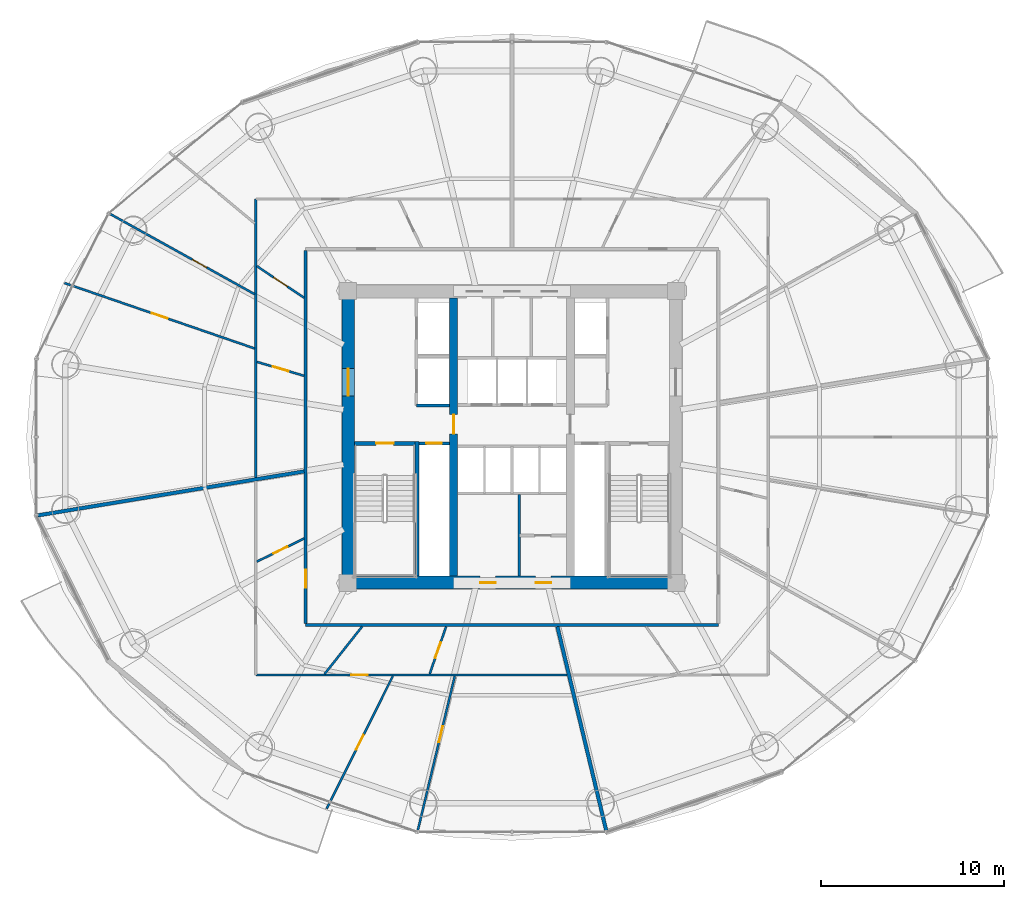
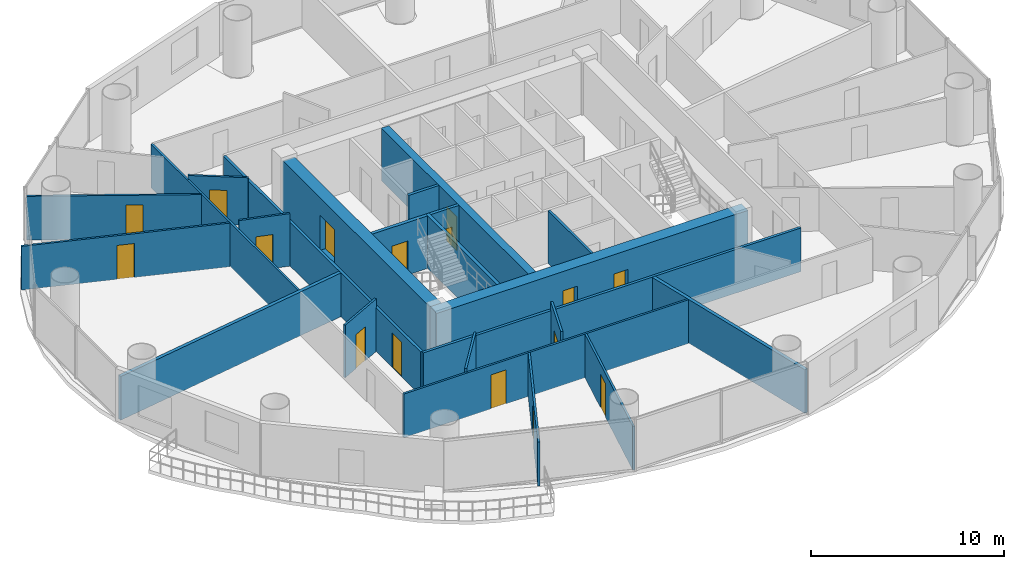
# One storey, part 22 of 29: 23 walls, 16 doors, 16 openings.
"""IFC4 building model written with IfcOpenShell, lengths in metres."""

from ifc_helpers import new_model, si_unit, direction, frame, frame_2d, origin, place, context, subcontext, project, spatial, rectangle, extrude, source, transform, mapped, material, layer, layer_set, type_object, element, fill, save


model = new_model("IFC4")

# Units and contexts
model_context = context("Model", 3, precision=1e-05, world=origin(), true_north=direction((-0.2419218956, 0.970295726276)))
body_context = subcontext(model_context, "Body", "Model", "MODEL_VIEW")
ifc_project = project(units=[si_unit("LENGTHUNIT", "METRE"), si_unit("AREAUNIT", "SQUARE_METRE"), si_unit("VOLUMEUNIT", "CUBIC_METRE"), si_unit("PLANEANGLEUNIT", "RADIAN"), si_unit("MASSUNIT", "GRAM", prefix="KILO")], contexts=[model_context])

# Site, building, storey
site_placement = place(None, origin())
site = spatial("IfcSite", under=ifc_project, at=site_placement, CompositionType="ELEMENT")
building_placement = place(site_placement, origin())
building = spatial("IfcBuilding", under=site, at=building_placement, Name="Cobrevalo Terracotta Tower", CompositionType="ELEMENT")
storey_placement = place(building_placement, frame((0.0, 0.0, 87.0)))
storey = spatial("IfcBuildingStorey", under=building, at=storey_placement, Name="L22", CompositionType="ELEMENT", Elevation=87.0)

# Wall, openings, doors
ifc_material_1 = material(Name="Concrete C60", Category="concrete")
ifc_layer_1 = layer(ifc_material_1, 0.699951171875)
ifc_layer_set_1 = layer_set([ifc_layer_1], Name="Concrete C60")
wall_type_1 = type_object("IfcWallType", Name="Core shear wall 700 mm Concrete C60", PredefinedType="SHEAR", material=ifc_layer_set_1)
wall_1_placement = place(storey_placement, frame((28.675048828125, 18.824951171875, 0.0), z_axis=(0.0, 0.0, 1.0), x_axis=(1.0, 0.0, 0.0)))
wall_1 = element("IfcWall", 1, at=wall_1_placement, inside=storey, type_object=wall_type_1, Name="L22 south core shear wall", PredefinedType="SHEAR", context=body_context, shape_type="SweptSolid", body=[
    extrude(rectangle(XDim=18.64990234375, YDim=0.699951171875, at=frame_2d((9.324951171875, 0.0))), origin(), (0.0, 0.0, 1.0), 3.324951171875),
])
opening_1_placement = place(wall_1_placement, frame((7.577392578125, 0.0, 0.0)))
opening_1 = element("IfcOpeningElement", 2, at=opening_1_placement, cuts=wall_1, Name="Opening ID-22", PredefinedType="OPENING", context=body_context, shape_type="SweptSolid", body=[
    extrude(rectangle(XDim=0.85009765625, YDim=2.10009765625, at=frame_2d((0.425048828125, 1.050048828125))), frame((0.0, 0.35986328125, 0.0), z_axis=(0.0, -1.0, 0.0), x_axis=(1.0, 0.0, 0.0)), (0.0, 0.0, 1.0), 0.719970703125),
])
opening_2_placement = place(wall_1_placement, frame((10.62255859375, 0.0, 0.0)))
opening_2 = element("IfcOpeningElement", 3, at=opening_2_placement, cuts=wall_1, Name="Opening ID-22", PredefinedType="OPENING", context=body_context, shape_type="SweptSolid", body=[
    extrude(rectangle(XDim=0.85009765625, YDim=2.10009765625, at=frame_2d((0.425048828125, 1.050048828125))), frame((0.0, 0.35986328125, 0.0), z_axis=(0.0, -1.0, 0.0), x_axis=(1.0, 0.0, 0.0)), (0.0, 0.0, 1.0), 0.719970703125),
])
ifc_material_2 = material(Name="Powder-coated steel", Category="steel")
door_type_1 = type_object("IfcDoorType", Name="Riser shaft & meter closet fire access door 850x2100 EI 60", OperationType="NOTDEFINED", PredefinedType="DOOR", material=ifc_material_2)
shared_shape_1 = source(origin(), body_context, "Body", "SweptSolid", [
    extrude(rectangle(XDim=0.85009765625, YDim=2.10009765625, at=frame_2d((0.425048828125, 1.050048828125))), frame((0.0, 0.02490234375, 0.0), z_axis=(0.0, -1.0, 0.0), x_axis=(1.0, 0.0, 0.0)), (0.0, 0.0, 1.0), 0.050048828125),
])
door_1_placement = place(opening_1_placement, origin())
door_1 = element("IfcDoor", 4, at=door_1_placement, inside=storey, type_object=door_type_1, Name="L22 core south plant door Floor AHU Mechanical Plant", OperationType="SINGLE_SWING_RIGHT", OverallHeight=2.10009765625, OverallWidth=0.85009765625, PredefinedType="DOOR", context=body_context, shape_type="MappedRepresentation", body=[
    mapped(shared_shape_1, transform((0.0, 0.0, 0.0), scale=1.0)),
])
fill(opening_1, door_1)
door_2_placement = place(opening_2_placement, origin())
door_2 = element("IfcDoor", 5, at=door_2_placement, inside=storey, type_object=door_type_1, Name="L22 core south plant door Sprinkler Valve Plant", OperationType="SINGLE_SWING_RIGHT", OverallHeight=2.10009765625, OverallWidth=0.85009765625, PredefinedType="DOOR", context=body_context, shape_type="MappedRepresentation", body=[
    mapped(shared_shape_1, transform((0.0, 0.0, 0.0), scale=1.0)),
])
fill(opening_2, door_2)

# Wall, opening, door
wall_2_placement = place(storey_placement, frame((29.02490234375, 19.175048828125, 0.0), z_axis=(0.0, 0.0, 1.0), x_axis=(0.0, 1.0, 0.0)))
wall_2 = element("IfcWall", 6, at=wall_2_placement, inside=storey, type_object=wall_type_1, Name="L22 west core shear wall", PredefinedType="SHEAR", context=body_context, shape_type="SweptSolid", body=[
    extrude(rectangle(XDim=15.25, YDim=0.699951171875, at=frame_2d((7.625, 0.0))), origin(), (0.0, 0.0, 1.0), 3.324951171875),
])
opening_3_placement = place(wall_2_placement, frame((9.875, 0.0, 0.0)))
opening_3 = element("IfcOpeningElement", 7, at=opening_3_placement, cuts=wall_2, Name="Opening ID-14", PredefinedType="OPENING", context=body_context, shape_type="SweptSolid", body=[
    extrude(rectangle(XDim=1.5, YDim=2.199951171875, at=frame_2d((0.75, 1.10009765625))), frame((0.0, 0.35986328125, 0.0), z_axis=(0.0, -1.0, 0.0), x_axis=(1.0, 0.0, 0.0)), (0.0, 0.0, 1.0), 0.719970703125),
])
ifc_material_3 = material(Name="Galvanized fire-rated steel", Category="steel")
door_type_2 = type_object("IfcDoorType", Name="Core cross-lobby double fire door 1500x2200 EI 90", OperationType="NOTDEFINED", PredefinedType="DOOR", material=ifc_material_3)
shared_shape_2 = source(origin(), body_context, "Body", "SweptSolid", [
    extrude(rectangle(XDim=1.5, YDim=2.199951171875, at=frame_2d((0.75, 1.10009765625))), frame((0.0, 0.02490234375, 0.0), z_axis=(0.0, -1.0, 0.0), x_axis=(1.0, 0.0, 0.0)), (0.0, 0.0, 1.0), 0.050048828125),
])
door_3_placement = place(opening_3_placement, origin())
door_3 = element("IfcDoor", 8, at=door_3_placement, inside=storey, type_object=door_type_2, Name="L22 west firefighting lobby entrance door", OperationType="DOUBLE_DOOR_SINGLE_SWING", OverallHeight=2.199951171875, OverallWidth=1.5, PredefinedType="DOOR", context=body_context, shape_type="MappedRepresentation", body=[
    mapped(shared_shape_2, transform((0.0, 0.0, 0.0), scale=1.0)),
])
fill(opening_3, door_3)

# Walls
ifc_material_4 = material(Name="Gypsum board on steel stud", Category="steel")
ifc_layer_2 = layer(ifc_material_4, 0.159912109375)
ifc_layer_set_2 = layer_set([ifc_layer_2], Name="Gypsum board on steel stud")
wall_type_2 = type_object("IfcWallType", Name="Fire-rated corridor acoustic partition wall 160 mm", PredefinedType="PARTITIONING", material=ifc_layer_set_2)
wall_3_placement = place(storey_placement, frame((32.77001953125, 28.52001953125, 0.0), z_axis=(0.0, 0.0, 1.0), x_axis=(1.0, 0.0, 0.0)))
element("IfcWall", 9, at=wall_3_placement, inside=storey, type_object=wall_type_2, Name="L22 interior partition IW-L22-FF1-S", PredefinedType="PARTITIONING", context=body_context, shape_type="SweptSolid", body=[
    extrude(rectangle(XDim=1.804931640625, YDim=0.159912109375, at=frame_2d((0.90234375, 0.0))), origin(), (0.0, 0.0, 1.0), 3.324951171875),
])
wall_4_placement = place(storey_placement, frame((26.695068359375, 16.4951171875, 0.0), z_axis=(0.0, 0.0, 1.0), x_axis=(1.0, 0.0, 0.0)))
element("IfcWall", 10, at=wall_4_placement, inside=storey, type_object=wall_type_2, Name="L22 interior partition IW-L22-COR-S", PredefinedType="PARTITIONING", context=body_context, shape_type="SweptSolid", body=[
    extrude(rectangle(XDim=22.60986328125, YDim=0.159912109375, at=frame_2d((11.304931640625, 0.0))), origin(), (0.0, 0.0, 1.0), 2.76708984375),
])

# Wall, opening, door
wall_5_placement = place(storey_placement, frame((26.695068359375, 16.574951171875, 0.0), z_axis=(0.0, 0.0, 1.0), x_axis=(0.0, 1.0, 0.0)))
wall_5 = element("IfcWall", 11, at=wall_5_placement, inside=storey, type_object=wall_type_2, Name="L22 interior partition IW-L22-COR-W", PredefinedType="PARTITIONING", context=body_context, shape_type="SweptSolid", body=[
    extrude(rectangle(XDim=20.449951171875, YDim=0.159912109375, at=frame_2d((10.22509765625, 0.0))), origin(), (0.0, 0.0, 1.0), 2.76708984375),
])
opening_4_placement = place(wall_5_placement, frame((1.977294921875, 0.0, 0.0)))
opening_4 = element("IfcOpeningElement", 12, at=opening_4_placement, cuts=wall_5, Name="Opening ID-05", PredefinedType="OPENING", context=body_context, shape_type="SweptSolid", body=[
    extrude(rectangle(XDim=0.97998046875, YDim=2.199951171875, at=frame_2d((0.489990234375, 1.10009765625))), frame((0.0, 0.08984375, 0.0), z_axis=(0.0, -1.0, 0.0), x_axis=(1.0, 0.0, 0.0)), (0.0, 0.0, 1.0), 0.179931640625),
])
ifc_material_5 = material(Name="Solid hardwood timber", Category="wood")
door_type_3 = type_object("IfcDoorType", Name="Residence entrance fire-rated acoustic timber door 980x2200 EI 60", OperationType="NOTDEFINED", PredefinedType="DOOR", material=ifc_material_5)
shared_shape_3 = source(origin(), body_context, "Body", "SweptSolid", [
    extrude(rectangle(XDim=0.97998046875, YDim=2.199951171875, at=frame_2d((0.489990234375, 1.10009765625))), frame((0.0, 0.02490234375, 0.0), z_axis=(0.0, -1.0, 0.0), x_axis=(1.0, 0.0, 0.0)), (0.0, 0.0, 1.0), 0.050048828125),
])
door_4_placement = place(opening_4_placement, origin())
door_4 = element("IfcDoor", 13, at=door_4_placement, inside=storey, type_object=door_type_3, Name="Flat L22C fire-rated apartment entrance door", OperationType="SINGLE_SWING_LEFT", OverallHeight=2.199951171875, OverallWidth=0.97998046875, PredefinedType="DOOR", context=body_context, shape_type="MappedRepresentation", body=[
    mapped(shared_shape_3, transform((0.0, 0.0, 0.0), scale=1.0)),
])
fill(opening_4, door_4)

ifc_layer_3 = layer(ifc_material_4, 0.179931640625)
ifc_layer_set_3 = layer_set([ifc_layer_3], Name="Gypsum board on steel stud")
wall_type_3 = type_object("IfcWallType", Name="Fire-rated shaft & lobby acoustic partition wall 180 mm", PredefinedType="PARTITIONING", material=ifc_layer_set_3)
wall_6_placement = place(storey_placement, frame((32.89990234375, 26.449951171875, 0.0), z_axis=(0.0, 0.0, 1.0), x_axis=(1.0, 0.0, 0.0)))
wall_6 = element("IfcWall", 14, at=wall_6_placement, inside=storey, type_object=wall_type_3, Name="L22 interior partition IW-L22-RSW-N", PredefinedType="PARTITIONING", context=body_context, shape_type="SweptSolid", body=[
    extrude(rectangle(XDim=1.675048828125, YDim=0.179931640625, at=frame_2d((0.83740234375, 0.0))), origin(), (0.0, 0.0, 1.0), 3.324951171875),
])
opening_5_placement = place(wall_6_placement, frame((0.41259765625, 0.0, 0.0)))
opening_5 = element("IfcOpeningElement", 15, at=opening_5_placement, cuts=wall_6, Name="Opening ID-22", PredefinedType="OPENING", context=body_context, shape_type="SweptSolid", body=[
    extrude(rectangle(XDim=0.85009765625, YDim=2.10009765625, at=frame_2d((0.425048828125, 1.050048828125))), frame((0.0, 0.10009765625, 0.0), z_axis=(0.0, -1.0, 0.0), x_axis=(1.0, 0.0, 0.0)), (0.0, 0.0, 1.0), 0.199951171875),
])
door_5_placement = place(opening_5_placement, origin())
door_5 = element("IfcDoor", 16, at=door_5_placement, inside=storey, type_object=door_type_1, Name="L22 riser access door RSW", OperationType="SINGLE_SWING_LEFT", OverallHeight=2.10009765625, OverallWidth=0.85009765625, PredefinedType="DOOR", context=body_context, shape_type="MappedRepresentation", body=[
    mapped(shared_shape_1, transform((0.0, 0.0, 0.0), scale=1.0)),
])
fill(opening_5, door_5)

# Walls
ifc_material_6 = material(Name="Autoclaved aerated concrete block", Category="concrete")
ifc_layer_4 = layer(ifc_material_6, 0.199951171875)
ifc_layer_set_4 = layer_set([ifc_layer_4], Name="Autoclaved aerated concrete block")
wall_type_4 = type_object("IfcWallType", Name="Fire-rated stair, shaft & demising masonry wall 200 mm", PredefinedType="PARTITIONING", material=ifc_layer_set_4)
wall_7_placement = place(storey_placement, frame((26.614990234375, 24.91845703125, 0.0), z_axis=(0.0, 0.0, 1.0), x_axis=(-0.986618789677, -0.163044054958, 0.0)))
element("IfcWall", 17, at=wall_7_placement, inside=storey, type_object=wall_type_4, Name="L22 interior partition IW-L22-DEM-3", PredefinedType="PARTITIONING", context=body_context, shape_type="SweptSolid", body=[
    extrude(rectangle(XDim=14.78662109375, YDim=0.199951171875, at=frame_2d((7.393310546875, 0.0))), origin(), (0.0, 0.0, 1.0), 2.76708984375),
])
wall_8_placement = place(storey_placement, frame((40.486328125, 16.4150390625, 0.0), z_axis=(0.0, 0.0, 1.0), x_axis=(0.232829417917, -0.972517589636, 0.0)))
element("IfcWall", 18, at=wall_8_placement, inside=storey, type_object=wall_type_4, Name="L22 interior partition IW-L22-DEM-4", PredefinedType="PARTITIONING", context=body_context, shape_type="SweptSolid", body=[
    extrude(rectangle(XDim=11.501953125, YDim=0.199951171875, at=frame_2d((5.7509765625, 0.0))), origin(), (0.0, 0.0, 1.0), 2.76708984375),
])

# Wall, opening, door
ifc_material_7 = material(Name="Concrete C55", Category="concrete")
ifc_layer_5 = layer(ifc_material_7, 0.449951171875)
ifc_layer_set_5 = layer_set([ifc_layer_5], Name="Concrete C55")
wall_type_5 = type_object("IfcWallType", Name="Internal core shear web wall 450 mm Concrete C55", PredefinedType="SHEAR", material=ifc_layer_set_5)
wall_9_placement = place(storey_placement, frame((34.800048828125, 19.175048828125, 0.0), z_axis=(0.0, 0.0, 1.0), x_axis=(0.0, 1.0, 0.0)))
wall_9 = element("IfcWall", 19, at=wall_9_placement, inside=storey, type_object=wall_type_5, Name="L22 internal core shear wall WEB-W", PredefinedType="SHEAR", context=body_context, shape_type="SweptSolid", body=[
    extrude(rectangle(XDim=15.25, YDim=0.449951171875, at=frame_2d((7.625, 0.0))), origin(), (0.0, 0.0, 1.0), 3.324951171875),
])
opening_6_placement = place(wall_9_placement, frame((7.800048828125, 0.0, 0.0)))
opening_6 = element("IfcOpeningElement", 20, at=opening_6_placement, cuts=wall_9, Name="Opening ID-11", PredefinedType="OPENING", context=body_context, shape_type="SweptSolid", body=[
    extrude(rectangle(XDim=1.050048828125, YDim=2.14990234375, at=frame_2d((0.52490234375, 1.074951171875))), frame((0.0, 0.23486328125, 0.0), z_axis=(0.0, -1.0, 0.0), x_axis=(1.0, 0.0, 0.0)), (0.0, 0.0, 1.0), 0.469970703125),
])
door_type_4 = type_object("IfcDoorType", Name="Core concourse cross fire door 1050x2150 EI 90", OperationType="NOTDEFINED", PredefinedType="DOOR", material=ifc_material_3)
shared_shape_4 = source(origin(), body_context, "Body", "SweptSolid", [
    extrude(rectangle(XDim=1.050048828125, YDim=2.14990234375, at=frame_2d((0.52490234375, 1.074951171875))), frame((0.0, 0.02490234375, 0.0), z_axis=(0.0, -1.0, 0.0), x_axis=(1.0, 0.0, 0.0)), (0.0, 0.0, 1.0), 0.050048828125),
])
door_6_placement = place(opening_6_placement, origin())
door_6 = element("IfcDoor", 21, at=door_6_placement, inside=storey, type_object=door_type_4, Name="L22 west core concourse cross door", OperationType="SINGLE_SWING_LEFT", OverallHeight=2.14990234375, OverallWidth=1.050048828125, PredefinedType="DOOR", context=body_context, shape_type="MappedRepresentation", body=[
    mapped(shared_shape_4, transform((0.0, 0.0, 0.0), scale=1.0)),
])
fill(opening_6, door_6)

# Walls
ifc_layer_6 = layer(ifc_material_6, 0.139892578125)
ifc_layer_set_6 = layer_set([ifc_layer_6], Name="Autoclaved aerated concrete block")
wall_type_6 = type_object("IfcWallType", Name="Moisture-resistant wet-room & core service partition 140 mm", PredefinedType="PARTITIONING", material=ifc_layer_set_6)
wall_10_placement = place(storey_placement, frame((38.39990234375, 19.175048828125, 0.0), z_axis=(0.0, 0.0, 1.0), x_axis=(0.0, 1.0, 0.0)))
element("IfcWall", 22, at=wall_10_placement, inside=storey, type_object=wall_type_6, Name="L22 interior partition IW-L22-KVS-L1", PredefinedType="PARTITIONING", context=body_context, shape_type="SweptSolid", body=[
    extrude(rectangle(XDim=4.46484375, YDim=0.139892578125, at=frame_2d((2.232421875, 0.0))), origin(), (0.0, 0.0, 1.0), 3.324951171875),
])
ifc_layer_7 = layer(ifc_material_4, 0.1201171875)
ifc_layer_set_7 = layer_set([ifc_layer_7], Name="Gypsum board on steel stud")
wall_type_7 = type_object("IfcWallType", Name="Residential internal acoustic stud partition 120 mm", PredefinedType="PARTITIONING", material=ifc_layer_set_7)
wall_11_placement = place(storey_placement, frame((23.965087890625, 24.58251953125, 0.0), z_axis=(0.0, 0.0, 1.0), x_axis=(0.0, 1.0, 0.0)))
element("IfcWall", 23, at=wall_11_placement, inside=storey, type_object=wall_type_7, Name="L22 interior partition IW-L22-U2-RING0_0", PredefinedType="PARTITIONING", context=body_context, shape_type="SweptSolid", body=[
    extrude(rectangle(XDim=15.25244140625, YDim=0.1201171875, at=frame_2d((7.626220703125, 0.0))), origin(), (0.0, 0.0, 1.0), 2.76708984375),
])

# Wall, opening, door
wall_12_placement = place(storey_placement, frame((23.910888671875, 34.62158203125, 0.0), z_axis=(0.0, 0.0, 1.0), x_axis=(-0.874324904351, 0.485341077626, 0.0)))
wall_12 = element("IfcWall", 24, at=wall_12_placement, inside=storey, type_object=wall_type_7, Name="L22 interior partition IW-L22-U2-ORAD2M1", PredefinedType="PARTITIONING", context=body_context, shape_type="SweptSolid", body=[
    extrude(rectangle(XDim=9.065673828125, YDim=0.1201171875, at=frame_2d((4.53271484375, 0.0))), origin(), (0.0, 0.0, 1.0), 2.76708984375),
])
opening_7_placement = place(wall_12_placement, frame((3.015625, 0.0, 0.0)))
opening_7 = element("IfcOpeningElement", 25, at=opening_7_placement, cuts=wall_12, Name="Opening ID-12", PredefinedType="OPENING", context=body_context, shape_type="SweptSolid", body=[
    extrude(rectangle(XDim=0.89990234375, YDim=2.14990234375, at=frame_2d((0.449951171875, 1.074951171875))), frame((0.0, 0.070068359375, 0.0), z_axis=(0.0, -1.0, 0.0), x_axis=(1.0, 0.0, 0.0)), (0.0, 0.0, 1.0), 0.14013671875),
])
ifc_material_8 = material(Name="Engineered timber", Category="wood")
door_type_5 = type_object("IfcDoorType", Name="Internal residence & suite timber door 900x2150", OperationType="NOTDEFINED", PredefinedType="DOOR", material=ifc_material_8)
shared_shape_5 = source(origin(), body_context, "Body", "SweptSolid", [
    extrude(rectangle(XDim=0.89990234375, YDim=2.14990234375, at=frame_2d((0.449951171875, 1.074951171875))), frame((0.0, 0.02490234375, 0.0), z_axis=(0.0, -1.0, 0.0), x_axis=(1.0, 0.0, 0.0)), (0.0, 0.0, 1.0), 0.050048828125),
])
door_7_placement = place(opening_7_placement, origin())
door_7 = element("IfcDoor", 26, at=door_7_placement, inside=storey, type_object=door_type_5, Name="Flat L22B Principal Guest Bedroom internal door", OperationType="SINGLE_SWING_LEFT", OverallHeight=2.14990234375, OverallWidth=0.89990234375, PredefinedType="DOOR", context=body_context, shape_type="MappedRepresentation", body=[
    mapped(shared_shape_5, transform((0.0, 0.0, 0.0), scale=1.0)),
])
fill(opening_7, door_7)

wall_13_placement = place(storey_placement, frame((23.90625, 31.650146484375, 0.0), z_axis=(0.0, 0.0, 1.0), x_axis=(-0.945573120726, 0.32540970078, 0.0)))
wall_13 = element("IfcWall", 27, at=wall_13_placement, inside=storey, type_object=wall_type_7, Name="L22 interior partition IW-L22-U2-ORAD2", PredefinedType="PARTITIONING", context=body_context, shape_type="SweptSolid", body=[
    extrude(rectangle(XDim=11.02197265625, YDim=0.1201171875, at=frame_2d((5.510986328125, 0.0))), origin(), (0.0, 0.0, 1.0), 2.76708984375),
])
opening_8_placement = place(wall_13_placement, frame((5.06103515625, 0.0, 0.0)))
opening_8 = element("IfcOpeningElement", 28, at=opening_8_placement, cuts=wall_13, Name="Opening ID-12", PredefinedType="OPENING", context=body_context, shape_type="SweptSolid", body=[
    extrude(rectangle(XDim=0.89990234375, YDim=2.14990234375, at=frame_2d((0.449951171875, 1.074951171875))), frame((0.0, 0.070068359375, 0.0), z_axis=(0.0, -1.0, 0.0), x_axis=(1.0, 0.0, 0.0)), (0.0, 0.0, 1.0), 0.14013671875),
])
door_8_placement = place(opening_8_placement, origin())
door_8 = element("IfcDoor", 29, at=door_8_placement, inside=storey, type_object=door_type_5, Name="Flat L22B Penthouse Family Lounge internal door", OperationType="SINGLE_SWING_RIGHT", OverallHeight=2.14990234375, OverallWidth=0.89990234375, PredefinedType="DOOR", context=body_context, shape_type="MappedRepresentation", body=[
    mapped(shared_shape_5, transform((0.0, 0.0, 0.0), scale=1.0)),
])
fill(opening_8, door_8)

wall_14_placement = place(storey_placement, frame((26.614990234375, 34.426513671875, 0.0), z_axis=(0.0, 0.0, 1.0), x_axis=(-0.830799215213, 0.556572245088, 0.0)))
wall_14 = element("IfcWall", 30, at=wall_14_placement, inside=storey, type_object=wall_type_7, Name="L22 interior partition IW-L22-U2-IRAD2", PredefinedType="PARTITIONING", context=body_context, shape_type="SweptSolid", body=[
    extrude(rectangle(XDim=3.127685546875, YDim=0.1201171875, at=frame_2d((1.56396484375, 0.0))), origin(), (0.0, 0.0, 1.0), 3.00390625),
])
opening_9_placement = place(wall_14_placement, frame((1.11376953125, 0.0, 0.0)))
opening_9 = element("IfcOpeningElement", 31, at=opening_9_placement, cuts=wall_14, Name="Opening ID-12", PredefinedType="OPENING", context=body_context, shape_type="SweptSolid", body=[
    extrude(rectangle(XDim=0.89990234375, YDim=2.14990234375, at=frame_2d((0.449951171875, 1.074951171875))), frame((0.0, 0.070068359375, 0.0), z_axis=(0.0, -1.0, 0.0), x_axis=(1.0, 0.0, 0.0)), (0.0, 0.0, 1.0), 0.14013671875),
])
door_9_placement = place(opening_9_placement, origin())
door_9 = element("IfcDoor", 32, at=door_9_placement, inside=storey, type_object=door_type_5, Name="Flat L22B Kitchen internal door", OperationType="SINGLE_SWING_RIGHT", OverallHeight=2.14990234375, OverallWidth=0.89990234375, PredefinedType="DOOR", context=body_context, shape_type="MappedRepresentation", body=[
    mapped(shared_shape_5, transform((0.0, 0.0, 0.0), scale=1.0)),
])
fill(opening_9, door_9)

wall_15_placement = place(storey_placement, frame((26.614990234375, 30.15380859375, 0.0), z_axis=(0.0, 0.0, 1.0), x_axis=(-0.959264672883, 0.282508915537, 0.0)))
wall_15 = element("IfcWall", 33, at=wall_15_placement, inside=storey, type_object=wall_type_7, Name="L22 interior partition IW-L22-U2-IRAD3", PredefinedType="PARTITIONING", context=body_context, shape_type="SweptSolid", body=[
    extrude(rectangle(XDim=2.70068359375, YDim=0.1201171875, at=frame_2d((1.350341796875, 0.0))), origin(), (0.0, 0.0, 1.0), 3.324951171875),
])
opening_10_placement = place(wall_15_placement, frame((0.900390625, 0.0, 0.0)))
opening_10 = element("IfcOpeningElement", 34, at=opening_10_placement, cuts=wall_15, Name="Opening ID-12", PredefinedType="OPENING", context=body_context, shape_type="SweptSolid", body=[
    extrude(rectangle(XDim=0.89990234375, YDim=2.14990234375, at=frame_2d((0.449951171875, 1.074951171875))), frame((0.0, 0.070068359375, 0.0), z_axis=(0.0, -1.0, 0.0), x_axis=(1.0, 0.0, 0.0)), (0.0, 0.0, 1.0), 0.14013671875),
])
door_10_placement = place(opening_10_placement, origin())
door_10 = element("IfcDoor", 35, at=door_10_placement, inside=storey, type_object=door_type_5, Name="Flat L22B Private Wellness Room internal door", OperationType="SINGLE_SWING_LEFT", OverallHeight=2.14990234375, OverallWidth=0.89990234375, PredefinedType="DOOR", context=body_context, shape_type="MappedRepresentation", body=[
    mapped(shared_shape_5, transform((0.0, 0.0, 0.0), scale=1.0)),
])
fill(opening_10, door_10)

wall_16_placement = place(storey_placement, frame((41.018798828125, 13.764892578125, 0.0), z_axis=(0.0, 0.0, 1.0), x_axis=(-1.0, 0.0, 0.0)))
wall_16 = element("IfcWall", 36, at=wall_16_placement, inside=storey, type_object=wall_type_7, Name="L22 interior partition IW-L22-U3-RING0_0", PredefinedType="PARTITIONING", context=body_context, shape_type="SweptSolid", body=[
    extrude(rectangle(XDim=17.0537109375, YDim=0.1201171875, at=frame_2d((8.52685546875, 0.0))), origin(), (0.0, 0.0, 1.0), 2.76708984375),
])
opening_11_placement = place(wall_16_placement, frame((10.932861328125, 0.0, 0.0)))
opening_11 = element("IfcOpeningElement", 37, at=opening_11_placement, cuts=wall_16, Name="Opening ID-12", PredefinedType="OPENING", context=body_context, shape_type="SweptSolid", body=[
    extrude(rectangle(XDim=0.89990234375, YDim=2.14990234375, at=frame_2d((0.449951171875, 1.074951171875))), frame((0.0, 0.070068359375, 0.0), z_axis=(0.0, -1.0, 0.0), x_axis=(1.0, 0.0, 0.0)), (0.0, 0.0, 1.0), 0.14013671875),
])
door_11_placement = place(opening_11_placement, frame((0.89990234375, 0.0, 0.0), z_axis=(0.0, 0.0, 1.0), x_axis=(-1.0, 0.0, 0.0)))
door_11 = element("IfcDoor", 38, at=door_11_placement, inside=storey, type_object=door_type_5, Name="Flat L22C Kitchen internal door", OperationType="SINGLE_SWING_RIGHT", OverallHeight=2.14990234375, OverallWidth=0.89990234375, PredefinedType="DOOR", context=body_context, shape_type="MappedRepresentation", body=[
    mapped(shared_shape_5, transform((0.0, 0.0, 0.0), scale=1.0)),
])
fill(opening_11, door_11)

wall_17_placement = place(storey_placement, frame((31.4736328125, 13.70947265625, 0.0), z_axis=(0.0, 0.0, 1.0), x_axis=(-0.446179583353, -0.894943450392, 0.0)))
wall_17 = element("IfcWall", 39, at=wall_17_placement, inside=storey, type_object=wall_type_7, Name="L22 interior partition IW-L22-U3-ORAD1", PredefinedType="PARTITIONING", context=body_context, shape_type="SweptSolid", body=[
    extrude(rectangle(XDim=8.12451171875, YDim=0.1201171875, at=frame_2d((4.062255859375, 0.0))), origin(), (0.0, 0.0, 1.0), 2.76708984375),
])
opening_12_placement = place(wall_17_placement, frame((3.6123046875, 0.0, 0.0)))
opening_12 = element("IfcOpeningElement", 40, at=opening_12_placement, cuts=wall_17, Name="Opening ID-12", PredefinedType="OPENING", context=body_context, shape_type="SweptSolid", body=[
    extrude(rectangle(XDim=0.89990234375, YDim=2.14990234375, at=frame_2d((0.449951171875, 1.074951171875))), frame((0.0, 0.070068359375, 0.0), z_axis=(0.0, -1.0, 0.0), x_axis=(1.0, 0.0, 0.0)), (0.0, 0.0, 1.0), 0.14013671875),
])
door_12_placement = place(opening_12_placement, origin())
door_12 = element("IfcDoor", 41, at=door_12_placement, inside=storey, type_object=door_type_5, Name="Flat L22C Master Bedroom internal door", OperationType="SINGLE_SWING_RIGHT", OverallHeight=2.14990234375, OverallWidth=0.89990234375, PredefinedType="DOOR", context=body_context, shape_type="MappedRepresentation", body=[
    mapped(shared_shape_5, transform((0.0, 0.0, 0.0), scale=1.0)),
])
fill(opening_12, door_12)

wall_18_placement = place(storey_placement, frame((34.86474609375, 13.70458984375, 0.0), z_axis=(0.0, 0.0, 1.0), x_axis=(-0.23282725047, -0.97251810854, 0.0)))
wall_18 = element("IfcWall", 42, at=wall_18_placement, inside=storey, type_object=wall_type_7, Name="L22 interior partition IW-L22-U3-ORAD2M1", PredefinedType="PARTITIONING", context=body_context, shape_type="SweptSolid", body=[
    extrude(rectangle(XDim=8.71484375, YDim=0.1201171875, at=frame_2d((4.357421875, 0.0))), origin(), (0.0, 0.0, 1.0), 2.76708984375),
])
opening_13_placement = place(wall_18_placement, frame((2.83056640625, 0.0, 0.0)))
opening_13 = element("IfcOpeningElement", 43, at=opening_13_placement, cuts=wall_18, Name="Opening ID-12", PredefinedType="OPENING", context=body_context, shape_type="SweptSolid", body=[
    extrude(rectangle(XDim=0.89990234375, YDim=2.14990234375, at=frame_2d((0.449951171875, 1.074951171875))), frame((0.0, 0.070068359375, 0.0), z_axis=(0.0, -1.0, 0.0), x_axis=(1.0, 0.0, 0.0)), (0.0, 0.0, 1.0), 0.14013671875),
])
door_13_placement = place(opening_13_placement, origin())
door_13 = element("IfcDoor", 44, at=door_13_placement, inside=storey, type_object=door_type_5, Name="Flat L22C Penthouse Family Lounge internal door", OperationType="SINGLE_SWING_LEFT", OverallHeight=2.14990234375, OverallWidth=0.89990234375, PredefinedType="DOOR", context=body_context, shape_type="MappedRepresentation", body=[
    mapped(shared_shape_5, transform((0.0, 0.0, 0.0), scale=1.0)),
])
fill(opening_13, door_13)

wall_19_placement = place(storey_placement, frame((26.614990234375, 21.2412109375, 0.0), z_axis=(0.0, 0.0, 1.0), x_axis=(-0.898615592274, -0.438736842906, 0.0)))
wall_19 = element("IfcWall", 45, at=wall_19_placement, inside=storey, type_object=wall_type_7, Name="L22 interior partition IW-L22-U3-IRAD1", PredefinedType="PARTITIONING", context=body_context, shape_type="SweptSolid", body=[
    extrude(rectangle(XDim=2.886962890625, YDim=0.1201171875, at=frame_2d((1.443359375, 0.0))), origin(), (0.0, 0.0, 1.0), 3.324951171875),
])
opening_14_placement = place(wall_19_placement, frame((1.013427734375, 0.0, 0.0)))
opening_14 = element("IfcOpeningElement", 46, at=opening_14_placement, cuts=wall_19, Name="Opening ID-19", PredefinedType="OPENING", context=body_context, shape_type="SweptSolid", body=[
    extrude(rectangle(XDim=0.860107421875, YDim=2.14990234375, at=frame_2d((0.43017578125, 1.074951171875))), frame((0.0, 0.070068359375, 0.0), z_axis=(0.0, -1.0, 0.0), x_axis=(1.0, 0.0, 0.0)), (0.0, 0.0, 1.0), 0.14013671875),
])
ifc_material_9 = material(Name="Moisture-sealed timber", Category="wood")
door_type_6 = type_object("IfcDoorType", Name="Suite bathroom internal timber door 860x2150", OperationType="NOTDEFINED", PredefinedType="DOOR", material=ifc_material_9)
shared_shape_6 = source(origin(), body_context, "Body", "SweptSolid", [
    extrude(rectangle(XDim=0.860107421875, YDim=2.14990234375, at=frame_2d((0.43017578125, 1.074951171875))), frame((0.0, 0.02490234375, 0.0), z_axis=(0.0, -1.0, 0.0), x_axis=(1.0, 0.0, 0.0)), (0.0, 0.0, 1.0), 0.050048828125),
])
door_14_placement = place(opening_14_placement, frame((0.860107421875, 0.0, 0.0), z_axis=(0.0, 0.0, 1.0), x_axis=(-1.0, 0.0, 0.0)))
door_14 = element("IfcDoor", 47, at=door_14_placement, inside=storey, type_object=door_type_6, Name="Flat L22C Primary Bathroom internal door", OperationType="SINGLE_SWING_RIGHT", OverallHeight=2.14990234375, OverallWidth=0.860107421875, PredefinedType="DOOR", context=body_context, shape_type="MappedRepresentation", body=[
    mapped(shared_shape_6, transform((0.0, 0.0, 0.0), scale=1.0)),
])
fill(opening_14, door_14)

# Wall
wall_20_placement = place(storey_placement, frame((29.78662109375, 16.4150390625, 0.0), z_axis=(0.0, 0.0, 1.0), x_axis=(-0.62033143471, -0.784339793145, 0.0)))
element("IfcWall", 48, at=wall_20_placement, inside=storey, type_object=wall_type_7, Name="L22 interior partition IW-L22-U3-IRAD2", PredefinedType="PARTITIONING", context=body_context, shape_type="SweptSolid", body=[
    extrude(rectangle(XDim=3.316650390625, YDim=0.1201171875, at=frame_2d((1.658203125, 0.0))), origin(), (0.0, 0.0, 1.0), 3.00390625),
])

# Wall, opening, door
wall_21_placement = place(storey_placement, frame((34.3916015625, 16.4150390625, 0.0), z_axis=(0.0, 0.0, 1.0), x_axis=(-0.328268661855, -0.94458439837, 0.0)))
wall_21 = element("IfcWall", 49, at=wall_21_placement, inside=storey, type_object=wall_type_7, Name="L22 interior partition IW-L22-U3-IRAD3", PredefinedType="PARTITIONING", context=body_context, shape_type="SweptSolid", body=[
    extrude(rectangle(XDim=2.74365234375, YDim=0.1201171875, at=frame_2d((1.371826171875, 0.0))), origin(), (0.0, 0.0, 1.0), 3.324951171875),
])
opening_15_placement = place(wall_21_placement, frame((0.921630859375, 0.0, 0.0)))
opening_15 = element("IfcOpeningElement", 50, at=opening_15_placement, cuts=wall_21, Name="Opening ID-12", PredefinedType="OPENING", context=body_context, shape_type="SweptSolid", body=[
    extrude(rectangle(XDim=0.89990234375, YDim=2.14990234375, at=frame_2d((0.449951171875, 1.074951171875))), frame((0.0, 0.070068359375, 0.0), z_axis=(0.0, -1.0, 0.0), x_axis=(1.0, 0.0, 0.0)), (0.0, 0.0, 1.0), 0.14013671875),
])
door_15_placement = place(opening_15_placement, origin())
door_15 = element("IfcDoor", 51, at=door_15_placement, inside=storey, type_object=door_type_5, Name="Flat L22C Private Wellness Room internal door", OperationType="SINGLE_SWING_LEFT", OverallHeight=2.14990234375, OverallWidth=0.89990234375, PredefinedType="DOOR", context=body_context, shape_type="MappedRepresentation", body=[
    mapped(shared_shape_5, transform((0.0, 0.0, 0.0), scale=1.0)),
])
fill(opening_15, door_15)

# Wall
ifc_material_10 = material(Name="Concrete C50", Category="concrete")
ifc_layer_8 = layer(ifc_material_10, 0.199951171875)
ifc_layer_set_8 = layer_set([ifc_layer_8], Name="Concrete C50")
wall_type_8 = type_object("IfcWallType", Name="Structural core & podium stair-shaft RC wall 200 mm Concrete C50", PredefinedType="SOLIDWALL", material=ifc_layer_set_8)
wall_22_placement = place(storey_placement, frame((32.794921875, 19.175048828125, 0.0), z_axis=(0.0, 0.0, 1.0), x_axis=(0.0, 1.0, 0.0)))
element("IfcWall", 52, at=wall_22_placement, inside=storey, type_object=wall_type_8, Name="L22 ST-1 east structural shaft wall", PredefinedType="SOLIDWALL", context=body_context, shape_type="SweptSolid", body=[
    extrude(rectangle(XDim=7.375, YDim=0.199951171875, at=frame_2d((3.6875, 0.0))), origin(), (0.0, 0.0, 1.0), 3.324951171875),
])

# Wall, opening, door
wall_23_placement = place(storey_placement, frame((29.375, 26.449951171875, 0.0), z_axis=(0.0, 0.0, 1.0), x_axis=(1.0, 0.0, 0.0)))
wall_23 = element("IfcWall", 53, at=wall_23_placement, inside=storey, type_object=wall_type_8, Name="L22 ST-1 north structural shaft wall", PredefinedType="SOLIDWALL", context=body_context, shape_type="SweptSolid", body=[
    extrude(rectangle(XDim=3.320068359375, YDim=0.199951171875, at=frame_2d((1.66015625, 0.0))), origin(), (0.0, 0.0, 1.0), 3.324951171875),
])
opening_16_placement = place(wall_23_placement, frame((1.18505859375, 0.0, 0.0)))
opening_16 = element("IfcOpeningElement", 54, at=opening_16_placement, cuts=wall_23, Name="Opening ID-04", PredefinedType="OPENING", context=body_context, shape_type="SweptSolid", body=[
    extrude(rectangle(XDim=0.949951171875, YDim=2.14990234375, at=frame_2d((0.47509765625, 1.074951171875))), frame((0.0, 0.10986328125, 0.0), z_axis=(0.0, -1.0, 0.0), x_axis=(1.0, 0.0, 0.0)), (0.0, 0.0, 1.0), 0.219970703125),
])
door_type_7 = type_object("IfcDoorType", Name="Stair & firefighting lobby fire door 950x2150 EI 90", OperationType="NOTDEFINED", PredefinedType="DOOR", material=ifc_material_3)
shared_shape_7 = source(origin(), body_context, "Body", "SweptSolid", [
    extrude(rectangle(XDim=0.949951171875, YDim=2.14990234375, at=frame_2d((0.47509765625, 1.074951171875))), frame((0.0, 0.02490234375, 0.0), z_axis=(0.0, -1.0, 0.0), x_axis=(1.0, 0.0, 0.0)), (0.0, 0.0, 1.0), 0.050048828125),
])
door_16_placement = place(opening_16_placement, origin())
door_16 = element("IfcDoor", 55, at=door_16_placement, inside=storey, type_object=door_type_7, Name="L22 protected stair ST1 fire door", OperationType="SINGLE_SWING_LEFT", OverallHeight=2.14990234375, OverallWidth=0.949951171875, PredefinedType="DOOR", context=body_context, shape_type="MappedRepresentation", body=[
    mapped(shared_shape_7, transform((0.0, 0.0, 0.0), scale=1.0)),
])
fill(opening_16, door_16)

save(model, "model.ifc")
